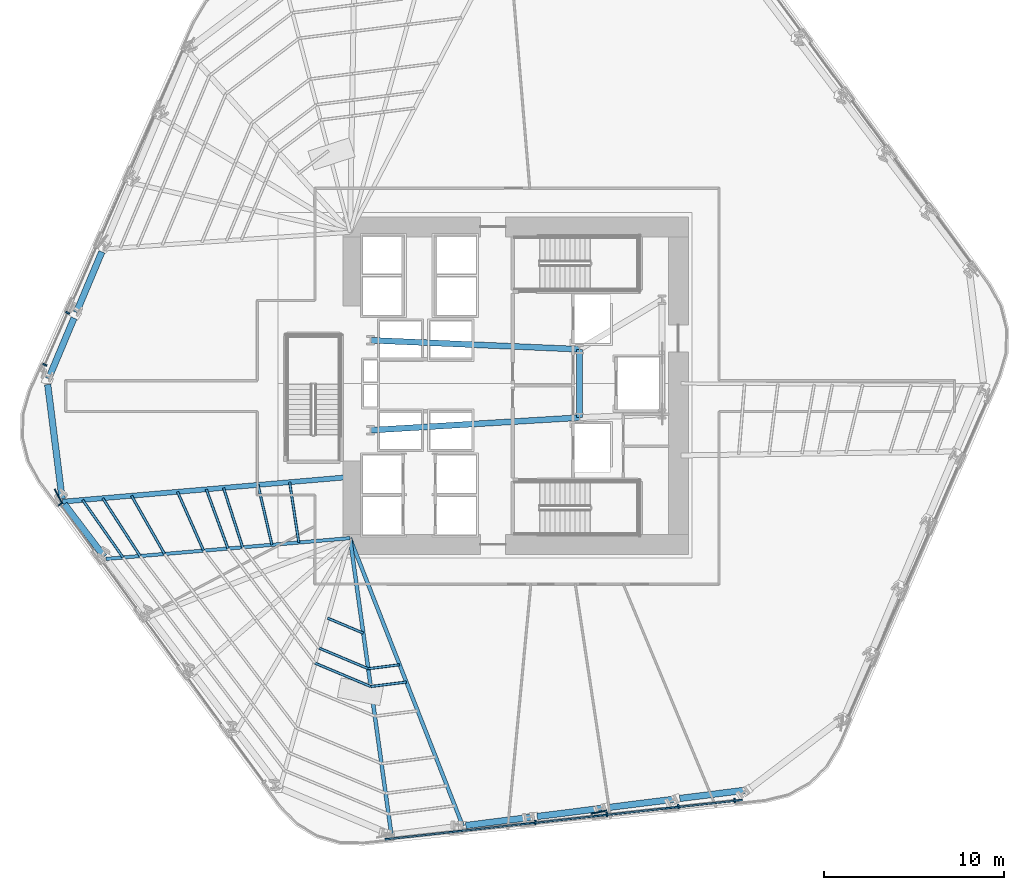
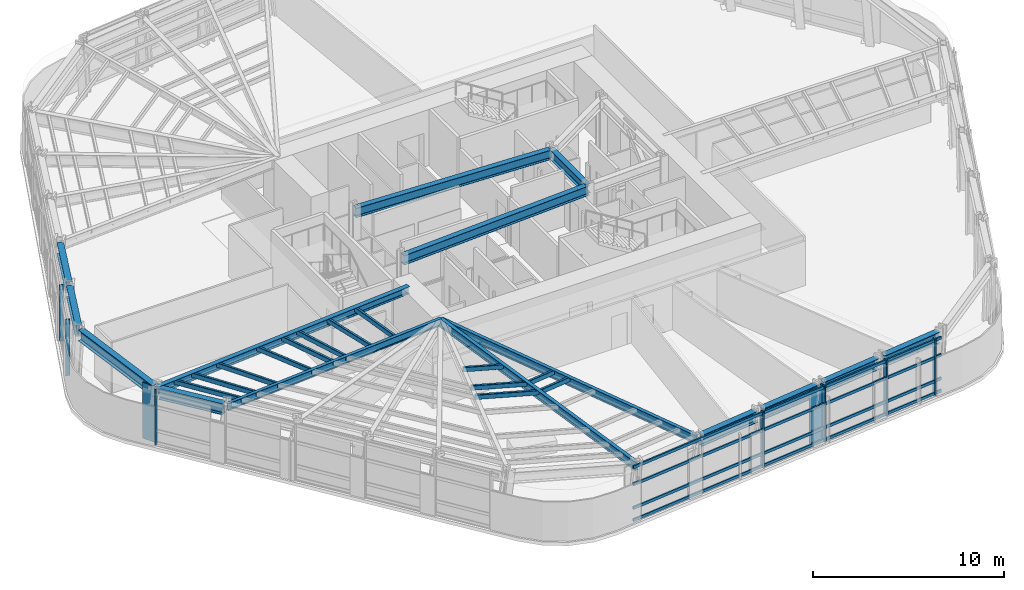
# One storey, part 3 of 16: 26 members, 15 beams, 3 elements without a shape of their own.
"""IFC4 building model written with IfcOpenShell, lengths in metres."""

from ifc_helpers import new_model, si_unit, direction, frame, origin, origin_2d, place, context, subcontext, project, spatial, rectangle, hollow_rectangle, i_section, extrude, material, layer, layer_set, material_profile, profile_set, type_object, element, aggregate, save


model = new_model("IFC4")

# Units and contexts
model_context = context("Model", 3, precision=1e-05, world=origin(), true_north=direction((0.0, 1.0)))
body_context = subcontext(model_context, "Body", "Model", "MODEL_VIEW")
ifc_project = project(units=[si_unit("LENGTHUNIT", "METRE"), si_unit("AREAUNIT", "SQUARE_METRE"), si_unit("VOLUMEUNIT", "CUBIC_METRE"), si_unit("PLANEANGLEUNIT", "RADIAN"), si_unit("MASSUNIT", "GRAM", prefix="KILO")], contexts=[model_context])

# Site, building, storey
site_placement = place(None, origin())
site = spatial("IfcSite", under=ifc_project, at=site_placement, CompositionType="ELEMENT")
building_placement = place(site_placement, origin())
building = spatial("IfcBuilding", under=site, at=building_placement, Name="Valkerne Bourse Tower", CompositionType="ELEMENT")
storey_placement = place(building_placement, frame((0.0, 0.0, 50.60009765625)))
storey = spatial("IfcBuildingStorey", under=building, at=storey_placement, Name="L12", CompositionType="ELEMENT", Elevation=50.60009765625)

# Beams
ifc_material_1 = material(Name="Steel ASTM A992", Category="steel")
ifc_material_profile_1 = material_profile(ifc_material_1, i_section(OverallWidth=0.1904296875, OverallDepth=0.457275390625, WebThickness=0.009033203125, FlangeThickness=0.014404296875, FilletRadius=0.01513671875, at=origin_2d()), Name="W18X50")
ifc_profile_set_1 = profile_set([ifc_material_profile_1], Name="Steel ASTM A992")
beam_type_1 = type_object("IfcBeamType", Name="BM-W18X50", PredefinedType="JOIST", material=ifc_profile_set_1)
beam_1_placement = place(storey_placement, frame((24.03369140625, 17.24462890625, 3.351318359375), z_axis=(0.996393750848, 0.084849827761, 0.0), x_axis=(-0.084849827761, 0.996393750848, 0.0)))
element("IfcBeam", 1, at=beam_1_placement, inside=storey, type_object=beam_type_1, Name="L12 Radial Composite Floor Beam 19", PredefinedType="JOIST", context=body_context, shape_type="SweptSolid", body=[
    extrude(i_section(OverallWidth=0.1904296875, OverallDepth=0.457275390625, WebThickness=0.009033203125, FlangeThickness=0.014404296875, FilletRadius=0.01513671875, at=origin_2d()), origin(), (0.0, 0.0, 1.0), 13.615478515625),
])
ifc_material_profile_2 = material_profile(ifc_material_1, i_section(OverallWidth=0.279296875, OverallDepth=0.46240234375, WebThickness=0.0107421875, FlangeThickness=0.017333984375, FilletRadius=0.017822265625, at=origin_2d()), Name="W18X76")
ifc_profile_set_2 = profile_set([ifc_material_profile_2], Name="Steel ASTM A992")
beam_type_2 = type_object("IfcBeamType", Name="BM-W18X76", PredefinedType="BEAM", material=ifc_profile_set_2)
beam_2_placement = place(storey_placement, frame((21.61767578125, 20.427490234375, 3.348876953125), z_axis=(0.996332649481, 0.085564312529, 0.0), x_axis=(-0.085564312529, 0.996332649481, 0.0)))
element("IfcBeam", 2, at=beam_2_placement, inside=storey, type_object=beam_type_2, Name="L12 Radial Composite Floor Beam 18", PredefinedType="BEAM", context=body_context, shape_type="SweptSolid", body=[
    extrude(i_section(OverallWidth=0.279296875, OverallDepth=0.46240234375, WebThickness=0.0107421875, FlangeThickness=0.017333984375, FilletRadius=0.017822265625, at=origin_2d()), origin(), (0.0, 0.0, 1.0), 16.041259765625),
])
ifc_material_profile_3 = material_profile(ifc_material_1, i_section(OverallWidth=0.209228515625, OverallDepth=0.533447265625, WebThickness=0.01025390625, FlangeThickness=0.015625, FilletRadius=0.017822265625, at=origin_2d()), Name="W21X62")
ifc_profile_set_3 = profile_set([ifc_material_profile_3], Name="Steel ASTM A992")
beam_type_3 = type_object("IfcBeamType", Name="BM-W21X62", PredefinedType="JOIST", material=ifc_profile_set_3)
beam_3_placement = place(storey_placement, frame((43.865234375, 2.406005859375, 3.313232421875), z_axis=(-0.364735335384, 0.931111236707, 0.0), x_axis=(-0.931111236707, -0.364735335384, 0.0)))
element("IfcBeam", 3, at=beam_3_placement, inside=storey, type_object=beam_type_3, Name="L12 Radial Composite Floor Beam 25", PredefinedType="JOIST", context=body_context, shape_type="SweptSolid", body=[
    extrude(i_section(OverallWidth=0.209228515625, OverallDepth=0.533447265625, WebThickness=0.01025390625, FlangeThickness=0.015625, FilletRadius=0.017822265625, at=origin_2d()), origin(), (0.0, 0.0, 1.0), 17.17724609375),
])
ifc_material_profile_4 = material_profile(ifc_material_1, i_section(OverallWidth=0.2138671875, OverallDepth=0.548583984375, WebThickness=0.0146484375, FlangeThickness=0.023681640625, FilletRadius=0.017822265625, at=origin_2d()), Name="W21X93")
ifc_profile_set_4 = profile_set([ifc_material_profile_4], Name="Steel ASTM A992")
beam_type_4 = type_object("IfcBeamType", Name="BM-W21X93", PredefinedType="BEAM", material=ifc_profile_set_4)
beam_4_placement = place(storey_placement, frame((39.90087890625, 1.9052734375, 3.3056640625), z_axis=(-0.138149215328, 0.990411426784, 0.0), x_axis=(-0.990411426784, -0.138149215328, 0.0)))
element("IfcBeam", 4, at=beam_4_placement, inside=storey, type_object=beam_type_4, Name="L12 Radial Composite Floor Beam 24", PredefinedType="BEAM", context=body_context, shape_type="SweptSolid", body=[
    extrude(i_section(OverallWidth=0.2138671875, OverallDepth=0.548583984375, WebThickness=0.0146484375, FlangeThickness=0.023681640625, FilletRadius=0.017822265625, at=origin_2d()), origin(), (0.0, 0.0, 1.0), 16.654296875),
])
ifc_material_profile_5 = material_profile(ifc_material_1, i_section(OverallWidth=0.3251953125, OverallDepth=0.612060546875, WebThickness=0.0126953125, FlangeThickness=0.01904296875, FilletRadius=0.020263671875, at=origin_2d()), Name="W24X104")
ifc_profile_set_5 = profile_set([ifc_material_profile_5], Name="Steel ASTM A992")
beam_type_5 = type_object("IfcBeamType", Name="BM-W24X104", PredefinedType="BEAM", material=ifc_profile_set_5)
beam_5_placement = place(storey_placement, frame((50.35009765625, 25.10009765625, 3.27392578125), z_axis=(0.0, 1.0, 0.0), x_axis=(-1.0, 0.0, 0.0)))
element("IfcBeam", 5, at=beam_5_placement, inside=storey, type_object=beam_type_5, Name="L12 Core Frame Girder CG-CE", PredefinedType="BEAM", context=body_context, shape_type="SweptSolid", body=[
    extrude(i_section(OverallWidth=0.3251953125, OverallDepth=0.612060546875, WebThickness=0.0126953125, FlangeThickness=0.01904296875, FilletRadius=0.020263671875, at=origin_2d()), origin(), (0.0, 0.0, 1.0), 3.7998046875),
])
beam_6_placement = place(storey_placement, frame((38.75, 24.39990234375, 3.27392578125), z_axis=(0.998183228389, 0.060251494276, 0.0), x_axis=(-0.060251494276, 0.998183228389, 0.0)))
element("IfcBeam", 6, at=beam_6_placement, inside=storey, type_object=beam_type_5, Name="L12 Core Frame Girder CG-SW", PredefinedType="BEAM", context=body_context, shape_type="SweptSolid", body=[
    extrude(i_section(OverallWidth=0.3251953125, OverallDepth=0.612060546875, WebThickness=0.0126953125, FlangeThickness=0.01904296875, FilletRadius=0.020263671875, at=origin_2d()), origin(), (0.0, 0.0, 1.0), 11.62109375),
])
beam_7_placement = place(storey_placement, frame((38.75, 29.39990234375, 3.27392578125), z_axis=(0.999072354402, -0.043063101019, 0.0), x_axis=(0.043063101019, 0.999072354402, 0.0)))
element("IfcBeam", 7, at=beam_7_placement, inside=storey, type_object=beam_type_5, Name="L12 Core Frame Girder CG-NW", PredefinedType="BEAM", context=body_context, shape_type="SweptSolid", body=[
    extrude(i_section(OverallWidth=0.3251953125, OverallDepth=0.612060546875, WebThickness=0.0126953125, FlangeThickness=0.01904296875, FilletRadius=0.020263671875, at=origin_2d()), origin(), (0.0, 0.0, 1.0), 11.61083984375),
])
ifc_material_profile_6 = material_profile(ifc_material_1, i_section(OverallWidth=0.358154296875, OverallDepth=0.7060546875, WebThickness=0.018310546875, FlangeThickness=0.0302734375, FilletRadius=0.02294921875, at=origin_2d()), Name="W27X178")
ifc_profile_set_6 = profile_set([ifc_material_profile_6], Name="Steel ASTM A992")
beam_type_6 = type_object("IfcBeamType", Name="BM-W27X178", PredefinedType="SPANDREL", material=ifc_profile_set_6)
beam_8_placement = place(storey_placement, frame((23.805419921875, 34.314208984375, 3.226806640625), z_axis=(-0.38751061227, -0.921865242527, 0.0), x_axis=(0.921865242527, -0.38751061227, 0.0)))
element("IfcBeam", 8, at=beam_8_placement, inside=storey, type_object=beam_type_6, Name="L12 Hexagonal Spandrel Ring Beam 15", PredefinedType="SPANDREL", context=body_context, shape_type="SweptSolid", body=[
    extrude(i_section(OverallWidth=0.358154296875, OverallDepth=0.7060546875, WebThickness=0.018310546875, FlangeThickness=0.0302734375, FilletRadius=0.02294921875, at=origin_2d()), origin(), (0.0, 0.0, 1.0), 3.656005859375),
])
beam_9_placement = place(storey_placement, frame((22.2568359375, 30.630615234375, 3.226806640625), z_axis=(-0.387486758463, -0.921875269229, 0.0), x_axis=(0.921875269229, -0.387486758463, 0.0)))
element("IfcBeam", 9, at=beam_9_placement, inside=storey, type_object=beam_type_6, Name="L12 Hexagonal Spandrel Ring Beam 16", PredefinedType="SPANDREL", context=body_context, shape_type="SweptSolid", body=[
    extrude(i_section(OverallWidth=0.358154296875, OverallDepth=0.7060546875, WebThickness=0.018310546875, FlangeThickness=0.0302734375, FilletRadius=0.02294921875, at=origin_2d()), origin(), (0.0, 0.0, 1.0), 3.65625),
])
beam_10_placement = place(storey_placement, frame((20.795654296875, 26.934814453125, 3.226806640625), z_axis=(0.125337383989, -0.992114176985, 0.0), x_axis=(0.992114176985, 0.125337383989, 0.0)))
element("IfcBeam", 10, at=beam_10_placement, inside=storey, type_object=beam_type_6, Name="L12 Hexagonal Spandrel Ring Beam 17", PredefinedType="SPANDREL", context=body_context, shape_type="SweptSolid", body=[
    extrude(i_section(OverallWidth=0.358154296875, OverallDepth=0.7060546875, WebThickness=0.018310546875, FlangeThickness=0.0302734375, FilletRadius=0.02294921875, at=origin_2d()), origin(), (0.0, 0.0, 1.0), 6.388916015625),
])
for number, where, z_axis, x_axis, name in (
    (11, (21.720458984375, 20.2919921875, 3.226806640625), (0.604605691084, -0.796524926358, 0.0), (0.796524926358, 0.604605691084, 0.0), "L12 Hexagonal Spandrel Ring Beam 18"),
    (12, (44.033935546875, 2.42724609375, 3.226806640625), (0.992113668129, 0.125341411798, 0.0), (-0.125341411798, 0.992113668129, 0.0), "L12 Hexagonal Spandrel Ring Beam 25"),
):
    element("IfcBeam", number, at=place(storey_placement, frame(where, z_axis=z_axis, x_axis=x_axis)), inside=storey, type_object=beam_type_6, Name=name, PredefinedType="SPANDREL", context=body_context, shape_type="SweptSolid", body=[
        extrude(i_section(OverallWidth=0.358154296875, OverallDepth=0.7060546875, WebThickness=0.018310546875, FlangeThickness=0.0302734375, FilletRadius=0.02294921875, at=origin_2d()), origin(), (0.0, 0.0, 1.0), 3.656005859375),
    ])
beam_11_placement = place(storey_placement, frame((47.99853515625, 2.92822265625, 3.226806640625), z_axis=(0.992112618919, 0.125349716324, 0.0), x_axis=(-0.125349716324, 0.992112618919, 0.0)))
element("IfcBeam", 13, at=beam_11_placement, inside=storey, type_object=beam_type_6, Name="L12 Hexagonal Spandrel Ring Beam 26", PredefinedType="SPANDREL", context=body_context, shape_type="SweptSolid", body=[
    extrude(i_section(OverallWidth=0.358154296875, OverallDepth=0.7060546875, WebThickness=0.018310546875, FlangeThickness=0.0302734375, FilletRadius=0.02294921875, at=origin_2d()), origin(), (0.0, 0.0, 1.0), 3.65576171875),
])
for number, where, z_axis, x_axis, name in (
    (14, (51.962890625, 3.428955078125, 3.226806640625), (0.992113668129, 0.125341411798, 0.0), (-0.125341411798, 0.992113668129, 0.0), "L12 Hexagonal Spandrel Ring Beam 27"),
    (15, (55.927490234375, 3.9296875, 3.226806640625), (0.992105362041, 0.12540713939, 0.0), (-0.12540713939, 0.992105362041, 0.0), "L12 Hexagonal Spandrel Ring Beam 28"),
):
    element("IfcBeam", number, at=place(storey_placement, frame(where, z_axis=z_axis, x_axis=x_axis)), inside=storey, type_object=beam_type_6, Name=name, PredefinedType="SPANDREL", context=body_context, shape_type="SweptSolid", body=[
        extrude(i_section(OverallWidth=0.358154296875, OverallDepth=0.7060546875, WebThickness=0.018310546875, FlangeThickness=0.0302734375, FilletRadius=0.02294921875, at=origin_2d()), origin(), (0.0, 0.0, 1.0), 3.656005859375),
    ])

# Curtain wall, members
ifc_material_2 = material(Name="Aluminium AA 6063-T6", Category="aluminium")
ifc_layer = layer(ifc_material_2, 0.22509765625)
ifc_layer_set = layer_set([ifc_layer], Name="Aluminium AA 6063-T6")
curtain_wall_type = type_object("IfcCurtainWallType", Name="CW-01", PredefinedType="NOTDEFINED", material=ifc_layer_set)
curtain_wall_1_placement = place(storey_placement, origin())
curtain_wall_1 = element("IfcCurtainWall", 16, at=curtain_wall_1_placement, inside=storey, type_object=curtain_wall_type, Name="L12 Hexagonal Stick Curtain Wall Face 3", PredefinedType="NOTDEFINED")
ifc_material_profile_7 = material_profile(ifc_material_2, rectangle(XDim=0.090087890625, YDim=0.239990234375, at=origin_2d()), Name="CWM-90X240")
ifc_profile_set_7 = profile_set([ifc_material_profile_7], Name="Aluminium AA 6063-T6")
member_type_1 = type_object("IfcMemberType", Name="CW-MUL-240X90", PredefinedType="MULLION", material=ifc_profile_set_7)
member_1_placement = place(storey_placement, frame((21.9052734375, 30.92333984375, 0.0), z_axis=(0.0, 0.0, 1.0), x_axis=(-0.401929164496, -0.915670763281, 0.0)))
member_1 = element("IfcMember", 17, at=member_1_placement, type_object=member_type_1, Name="CW-L12-F3 Jamb Mullion 04A", PredefinedType="MULLION", context=body_context, shape_type="SweptSolid", body=[
    extrude(rectangle(XDim=0.090087890625, YDim=0.239990234375, at=origin_2d()), origin(), (0.0, 0.0, 1.0), 3.579833984375),
])
member_2_placement = place(storey_placement, frame((20.63671875, 28.033447265625, 0.0), z_axis=(0.0, 0.0, 1.0), x_axis=(-0.401929164496, -0.915670763281, 0.0)))
member_2 = element("IfcMember", 18, at=member_2_placement, type_object=member_type_1, Name="CW-L12-F3 Jamb Mullion 04B", PredefinedType="MULLION", context=body_context, shape_type="SweptSolid", body=[
    extrude(rectangle(XDim=0.090087890625, YDim=0.239990234375, at=origin_2d()), origin(), (0.0, 0.0, 1.0), 3.579833984375),
])
aggregate(curtain_wall_1, [member_1, member_2])

# Curtain wall, member
curtain_wall_2_placement = place(storey_placement, origin())
curtain_wall_2 = element("IfcCurtainWall", 19, at=curtain_wall_2_placement, inside=storey, type_object=curtain_wall_type, Name="L12 Hexagonal Stick Curtain Wall Face 4", PredefinedType="NOTDEFINED")
member_3_placement = place(storey_placement, frame((21.4921875, 20.283935546875, 0.0), z_axis=(0.0, 0.0, 1.0), x_axis=(0.592010093635, -0.805930548518, 0.0)))
member_3 = element("IfcMember", 20, at=member_3_placement, type_object=member_type_1, Name="CW-L12-F4 Jamb Mullion 00A", PredefinedType="MULLION", context=body_context, shape_type="SweptSolid", body=[
    extrude(rectangle(XDim=0.090087890625, YDim=0.239990234375, at=origin_2d()), origin(), (0.0, 0.0, 1.0), 3.579833984375),
])
aggregate(curtain_wall_2, [member_3])

# Curtain wall, members
curtain_wall_3_placement = place(storey_placement, origin())
curtain_wall_3 = element("IfcCurtainWall", 21, at=curtain_wall_3_placement, inside=storey, type_object=curtain_wall_type, Name="L12 Hexagonal Stick Curtain Wall Face 5", PredefinedType="NOTDEFINED")
member_4_placement = place(storey_placement, frame((47.906005859375, 2.601806640625, 0.0), z_axis=(0.0, 0.0, 1.0), x_axis=(0.993961005743, 0.109733855587, 0.0)))
member_4 = element("IfcMember", 22, at=member_4_placement, type_object=member_type_1, Name="CW-L12-F5 Jamb Mullion 02A", PredefinedType="MULLION", context=body_context, shape_type="SweptSolid", body=[
    extrude(rectangle(XDim=0.090087890625, YDim=0.239990234375, at=origin_2d()), origin(), (0.0, 0.0, 1.0), 3.579833984375),
])
member_5_placement = place(storey_placement, frame((51.8779296875, 3.040283203125, 0.0), z_axis=(0.0, 0.0, 1.0), x_axis=(0.993961005743, 0.109733855587, 0.0)))
member_5 = element("IfcMember", 23, at=member_5_placement, type_object=member_type_1, Name="CW-L12-F5 Jamb Mullion 03A", PredefinedType="MULLION", context=body_context, shape_type="SweptSolid", body=[
    extrude(rectangle(XDim=0.090087890625, YDim=0.239990234375, at=origin_2d()), origin(), (0.0, 0.0, 1.0), 3.579833984375),
])
member_6_placement = place(storey_placement, frame((55.849853515625, 3.478759765625, 0.0), z_axis=(0.0, 0.0, 1.0), x_axis=(0.993960704395, 0.109736585139, 0.0)))
member_6 = element("IfcMember", 24, at=member_6_placement, type_object=member_type_1, Name="CW-L12-F5 Jamb Mullion 04A", PredefinedType="MULLION", context=body_context, shape_type="SweptSolid", body=[
    extrude(rectangle(XDim=0.090087890625, YDim=0.239990234375, at=origin_2d()), origin(), (0.0, 0.0, 1.0), 3.579833984375),
])
member_7_placement = place(storey_placement, frame((58.986572265625, 3.8251953125, 0.0), z_axis=(0.0, 0.0, 1.0), x_axis=(0.993960704395, 0.109736585139, 0.0)))
member_7 = element("IfcMember", 25, at=member_7_placement, type_object=member_type_1, Name="CW-L12-F5 Jamb Mullion 04B", PredefinedType="MULLION", context=body_context, shape_type="SweptSolid", body=[
    extrude(rectangle(XDim=0.090087890625, YDim=0.239990234375, at=origin_2d()), origin(), (0.0, 0.0, 1.0), 3.579833984375),
])
ifc_material_profile_8 = material_profile(ifc_material_2, rectangle(XDim=0.090087890625, YDim=0.179931640625, at=origin_2d()), Name="CWT-90X180")
ifc_profile_set_8 = profile_set([ifc_material_profile_8], Name="Aluminium AA 6063-T6")
member_type_2 = type_object("IfcMemberType", Name="CW-TRN-180X90", PredefinedType="USERDEFINED", material=ifc_profile_set_8)
member_8_placement = place(storey_placement, frame((39.547119140625, 1.658935546875, 0.119873046875), z_axis=(0.993961422996, 0.109730076079, 0.0), x_axis=(-0.109730076079, 0.993961422996, 0.0)))
member_8 = element("IfcMember", 26, at=member_8_placement, type_object=member_type_2, Name="CW-L12-F5 Continuous Face Transom 1", ObjectType="TRANSOM", PredefinedType="USERDEFINED", context=body_context, shape_type="SweptSolid", body=[
    extrude(rectangle(XDim=0.090087890625, YDim=0.179931640625, at=origin_2d()), origin(), (0.0, 0.0, 1.0), 19.979736328125),
])
member_9_placement = place(storey_placement, frame((39.547119140625, 1.658935546875, 0.89990234375), z_axis=(0.993961422996, 0.109730076079, 0.0), x_axis=(-0.109730076079, 0.993961422996, 0.0)))
member_9 = element("IfcMember", 27, at=member_9_placement, type_object=member_type_2, Name="CW-L12-F5 Continuous Face Transom 2", ObjectType="TRANSOM", PredefinedType="USERDEFINED", context=body_context, shape_type="SweptSolid", body=[
    extrude(rectangle(XDim=0.090087890625, YDim=0.179931640625, at=origin_2d()), origin(), (0.0, 0.0, 1.0), 19.979736328125),
])
member_10_placement = place(storey_placement, frame((39.547119140625, 1.658935546875, 2.39990234375), z_axis=(0.993961422996, 0.109730076079, 0.0), x_axis=(-0.109730076079, 0.993961422996, 0.0)))
member_10 = element("IfcMember", 28, at=member_10_placement, type_object=member_type_2, Name="CW-L12-F5 Continuous Face Transom 3", ObjectType="TRANSOM", PredefinedType="USERDEFINED", context=body_context, shape_type="SweptSolid", body=[
    extrude(rectangle(XDim=0.090087890625, YDim=0.179931640625, at=origin_2d()), origin(), (0.0, 0.0, 1.0), 19.979736328125),
])
member_11_placement = place(storey_placement, frame((39.547119140625, 1.658935546875, 3.5), z_axis=(0.993961422996, 0.109730076079, 0.0), x_axis=(-0.109730076079, 0.993961422996, 0.0)))
member_11 = element("IfcMember", 29, at=member_11_placement, type_object=member_type_2, Name="CW-L12-F5 Continuous Face Transom 4", ObjectType="TRANSOM", PredefinedType="USERDEFINED", context=body_context, shape_type="SweptSolid", body=[
    extrude(rectangle(XDim=0.090087890625, YDim=0.179931640625, at=origin_2d()), origin(), (0.0, 0.0, 1.0), 19.979736328125),
])
aggregate(curtain_wall_3, [member_8, member_9, member_10, member_11, member_4, member_5, member_6, member_7])

# Members
ifc_material_3 = material(Name="Bronze Anodised Aluminium AA 6063-T6", Category="aluminium")
ifc_material_profile_9 = material_profile(ifc_material_3, rectangle(XDim=0.070068359375, YDim=0.89990234375, at=origin_2d()), Name="FIN-70X900")
ifc_profile_set_9 = profile_set([ifc_material_profile_9], Name="Bronze Anodised Aluminium AA 6063-T6")
member_type_3 = type_object("IfcMemberType", Name="FIN-SOLAR-900", PredefinedType="USERDEFINED", material=ifc_profile_set_9)
for number, where, z_axis, x_axis, name in (
    (30, (21.388671875, 20.72900390625, 0.00390625), (0.0, 0.0, 1.0), (-0.881878805719, -0.47147616273, 0.0), "L12 Bronze Anodised Solar Fin F4-00"),
    (31, (51.440673828125, 3.173095703125, 0.00390625), (0.0, 0.0, 1.0), (0.208955841519, -0.977925077036, 0.0), "L12 Bronze Anodised Solar Fin F5-03"),
):
    element("IfcMember", number, at=place(storey_placement, frame(where, z_axis=z_axis, x_axis=x_axis)), inside=storey, type_object=member_type_3, Name=name, ObjectType="SOLAR_FIN", PredefinedType="USERDEFINED", context=body_context, shape_type="SweptSolid", body=[
        extrude(rectangle(XDim=0.070068359375, YDim=0.89990234375, at=origin_2d()), origin(), (0.0, 0.0, 1.0), 3.572021484375),
    ])
ifc_material_4 = material(Name="Steel ASTM A500 Grade C", Category="steel")
ifc_material_profile_10 = material_profile(ifc_material_4, hollow_rectangle(XDim=0.14990234375, YDim=0.300048828125, WallThickness=0.012451171875, OuterFilletRadius=0.02490234375, at=origin_2d()), Name="HSS300X150X12.5")
ifc_profile_set_10 = profile_set([ifc_material_profile_10], Name="Steel ASTM A500 Grade C")
member_type_4 = type_object("IfcMemberType", Name="MBR-HSS300X150X12.5", PredefinedType="PURLIN", material=ifc_profile_set_10)
member_12_placement = place(storey_placement, frame((32.485595703125, 21.36083984375, 3.419921875), z_axis=(0.226136966436, -0.974095515035, 0.0), x_axis=(0.974095515035, 0.226136966436, 0.0)))
element("IfcMember", 32, at=member_12_placement, inside=storey, type_object=member_type_4, Name="L12 Secondary Composite Floor Purlin I-18", PredefinedType="PURLIN", context=body_context, shape_type="SweptSolid", body=[
    extrude(hollow_rectangle(XDim=0.14990234375, YDim=0.300048828125, WallThickness=0.012451171875, OuterFilletRadius=0.02490234375, at=origin_2d()), origin(), (0.0, 0.0, 1.0), 3.419189453125),
])
member_13_placement = place(storey_placement, frame((36.351318359375, 13.9560546875, 3.419921875), z_axis=(0.921844408758, -0.387560170865, 0.0), x_axis=(0.387560170865, 0.921844408758, 0.0)))
element("IfcMember", 33, at=member_13_placement, inside=storey, type_object=member_type_4, Name="L12 Secondary Composite Floor Purlin I-23", PredefinedType="PURLIN", context=body_context, shape_type="SweptSolid", body=[
    extrude(hollow_rectangle(XDim=0.14990234375, YDim=0.300048828125, WallThickness=0.012451171875, OuterFilletRadius=0.02490234375, at=origin_2d()), origin(), (0.0, 0.0, 1.0), 2.153076171875),
])
member_14_placement = place(storey_placement, frame((30.56787109375, 21.196044921875, 3.419921875), z_axis=(0.306230009761, -0.951957552164, 0.0), x_axis=(0.951957552164, 0.306230009761, 0.0)))
element("IfcMember", 34, at=member_14_placement, inside=storey, type_object=member_type_4, Name="L12 Secondary Composite Floor Purlin K-18", PredefinedType="PURLIN", context=body_context, shape_type="SweptSolid", body=[
    extrude(hollow_rectangle(XDim=0.14990234375, YDim=0.300048828125, WallThickness=0.012451171875, OuterFilletRadius=0.02490234375, at=origin_2d()), origin(), (0.0, 0.0, 1.0), 3.47119140625),
])
member_15_placement = place(storey_placement, frame((35.8828125, 12.28955078125, 3.419921875), z_axis=(0.921881981113, -0.387470789736, 0.0), x_axis=(0.387470789736, 0.921881981113, 0.0)))
element("IfcMember", 35, at=member_15_placement, inside=storey, type_object=member_type_4, Name="L12 Secondary Composite Floor Purlin K-23", PredefinedType="PURLIN", context=body_context, shape_type="SweptSolid", body=[
    extrude(hollow_rectangle(XDim=0.14990234375, YDim=0.300048828125, WallThickness=0.012451171875, OuterFilletRadius=0.02490234375, at=origin_2d()), origin(), (0.0, 0.0, 1.0), 2.960693359375),
])
member_16_placement = place(storey_placement, frame((38.6123046875, 11.142333984375, 3.419921875), z_axis=(0.992125461454, 0.125248028864, 0.0), x_axis=(-0.125248028864, 0.992125461454, 0.0)))
element("IfcMember", 36, at=member_16_placement, inside=storey, type_object=member_type_4, Name="L12 Secondary Composite Floor Purlin K-24", PredefinedType="PURLIN", context=body_context, shape_type="SweptSolid", body=[
    extrude(hollow_rectangle(XDim=0.14990234375, YDim=0.300048828125, WallThickness=0.012451171875, OuterFilletRadius=0.02490234375, at=origin_2d()), origin(), (0.0, 0.0, 1.0), 1.75830078125),
])
member_17_placement = place(storey_placement, frame((29.60888671875, 21.11376953125, 3.419921875), z_axis=(0.344536979013, -0.938772746778, 0.0), x_axis=(0.938772746778, 0.344536979013, 0.0)))
element("IfcMember", 37, at=member_17_placement, inside=storey, type_object=member_type_4, Name="L12 Secondary Composite Floor Purlin M-18", PredefinedType="PURLIN", context=body_context, shape_type="SweptSolid", body=[
    extrude(hollow_rectangle(XDim=0.14990234375, YDim=0.300048828125, WallThickness=0.012451171875, OuterFilletRadius=0.02490234375, at=origin_2d()), origin(), (0.0, 0.0, 1.0), 3.506103515625),
])
member_18_placement = place(storey_placement, frame((35.648681640625, 11.456298828125, 3.419921875), z_axis=(0.921881042192, -0.387473023637, 0.0), x_axis=(0.387473023637, 0.921881042192, 0.0)))
element("IfcMember", 38, at=member_18_placement, inside=storey, type_object=member_type_4, Name="L12 Secondary Composite Floor Purlin M-23", PredefinedType="PURLIN", context=body_context, shape_type="SweptSolid", body=[
    extrude(hollow_rectangle(XDim=0.14990234375, YDim=0.300048828125, WallThickness=0.012451171875, OuterFilletRadius=0.02490234375, at=origin_2d()), origin(), (0.0, 0.0, 1.0), 3.36474609375),
])
member_19_placement = place(storey_placement, frame((38.75048828125, 10.152587890625, 3.419921875), z_axis=(0.992109659349, 0.125373138378, 0.0), x_axis=(-0.125373138378, 0.992109659349, 0.0)))
element("IfcMember", 39, at=member_19_placement, inside=storey, type_object=member_type_4, Name="L12 Secondary Composite Floor Purlin M-24", PredefinedType="PURLIN", context=body_context, shape_type="SweptSolid", body=[
    extrude(hollow_rectangle(XDim=0.14990234375, YDim=0.300048828125, WallThickness=0.012451171875, OuterFilletRadius=0.02490234375, at=origin_2d()), origin(), (0.0, 0.0, 1.0), 1.998046875),
])
member_20_placement = place(storey_placement, frame((25.45361328125, 20.7568359375, 3.419921875), z_axis=(0.493592101841, -0.869693530504, 0.0), x_axis=(0.869693530504, 0.493592101841, 0.0)))
element("IfcMember", 40, at=member_20_placement, inside=storey, type_object=member_type_4, Name="L12 Secondary Composite Floor Purlin O-18", PredefinedType="PURLIN", context=body_context, shape_type="SweptSolid", body=[
    extrude(hollow_rectangle(XDim=0.14990234375, YDim=0.300048828125, WallThickness=0.012451171875, OuterFilletRadius=0.02490234375, at=origin_2d()), origin(), (0.0, 0.0, 1.0), 3.719482421875),
])
member_21_placement = place(storey_placement, frame((28.010498046875, 20.9765625, 3.419921875), z_axis=(0.405314985138, -0.914177095984, 0.0), x_axis=(0.914177095984, 0.405314985138, 0.0)))
element("IfcMember", 41, at=member_21_placement, inside=storey, type_object=member_type_4, Name="L12 Secondary Composite Floor Purlin Z-18", PredefinedType="PURLIN", context=body_context, shape_type="SweptSolid", body=[
    extrude(hollow_rectangle(XDim=0.14990234375, YDim=0.300048828125, WallThickness=0.012451171875, OuterFilletRadius=0.02490234375, at=origin_2d()), origin(), (0.0, 0.0, 1.0), 3.57666015625),
])
member_22_placement = place(storey_placement, frame((34.24365234375, 21.51171875, 3.419921875), z_axis=(0.149617773584, -0.988743911146, 0.0), x_axis=(0.988743911146, 0.149617773584, 0.0)))
element("IfcMember", 42, at=member_22_placement, inside=storey, type_object=member_type_4, Name="L12 Secondary Composite Floor Purlin S-18", PredefinedType="PURLIN", context=body_context, shape_type="SweptSolid", body=[
    extrude(hollow_rectangle(XDim=0.14990234375, YDim=0.300048828125, WallThickness=0.012451171875, OuterFilletRadius=0.02490234375, at=origin_2d()), origin(), (0.0, 0.0, 1.0), 3.392333984375),
])
member_23_placement = place(storey_placement, frame((23.855224609375, 20.61962890625, 3.419921875), z_axis=(0.54302903725, -0.83971391837, 0.0), x_axis=(0.83971391837, 0.54302903725, 0.0)))
element("IfcMember", 43, at=member_23_placement, inside=storey, type_object=member_type_4, Name="L12 Secondary Composite Floor Purlin T-18", PredefinedType="PURLIN", context=body_context, shape_type="SweptSolid", body=[
    extrude(hollow_rectangle(XDim=0.14990234375, YDim=0.300048828125, WallThickness=0.012451171875, OuterFilletRadius=0.02490234375, at=origin_2d()), origin(), (0.0, 0.0, 1.0), 3.826416015625),
])
member_24_placement = place(storey_placement, frame((22.736572265625, 20.523681640625, 3.419921875), z_axis=(0.574844930499, -0.81826236983, 0.0), x_axis=(0.81826236983, 0.574844930499, 0.0)))
element("IfcMember", 44, at=member_24_placement, inside=storey, type_object=member_type_4, Name="L12 Secondary Composite Floor Purlin U-18", PredefinedType="PURLIN", context=body_context, shape_type="SweptSolid", body=[
    extrude(hollow_rectangle(XDim=0.14990234375, YDim=0.300048828125, WallThickness=0.012451171875, OuterFilletRadius=0.02490234375, at=origin_2d()), origin(), (0.0, 0.0, 1.0), 3.90869140625),
])

save(model, "model.ifc")
